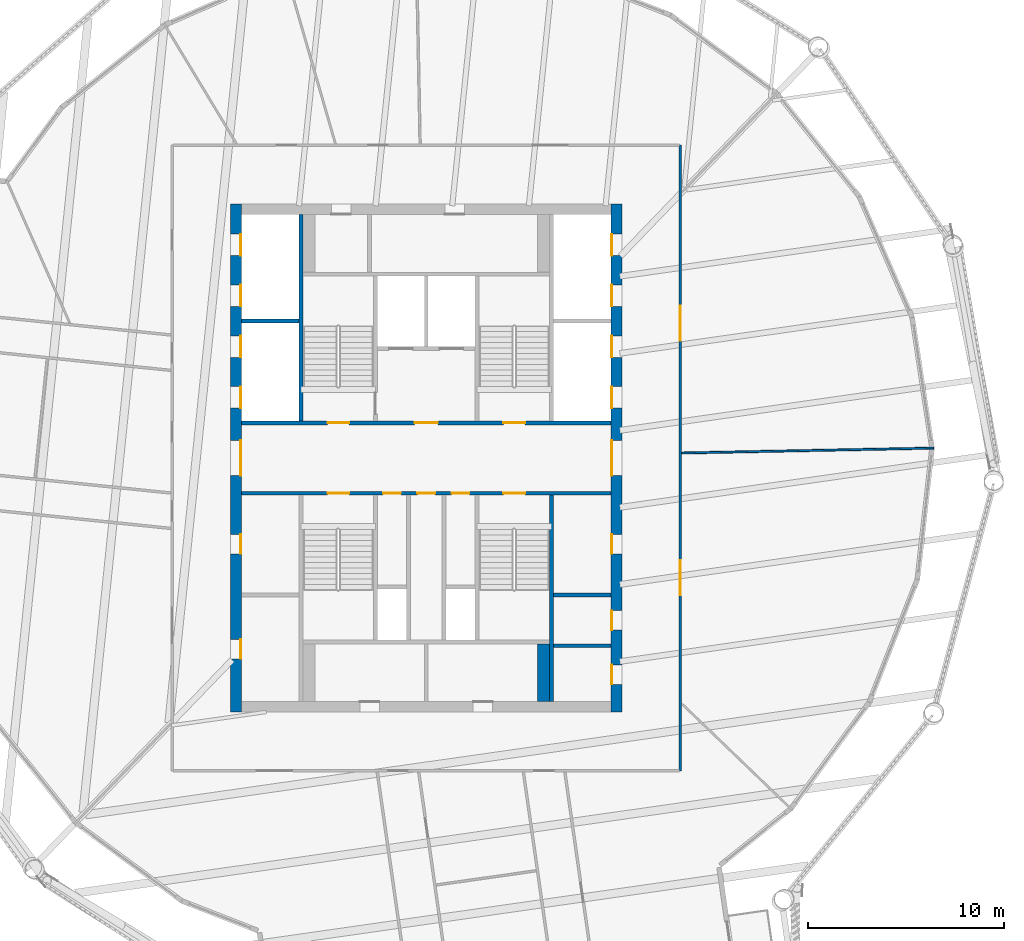
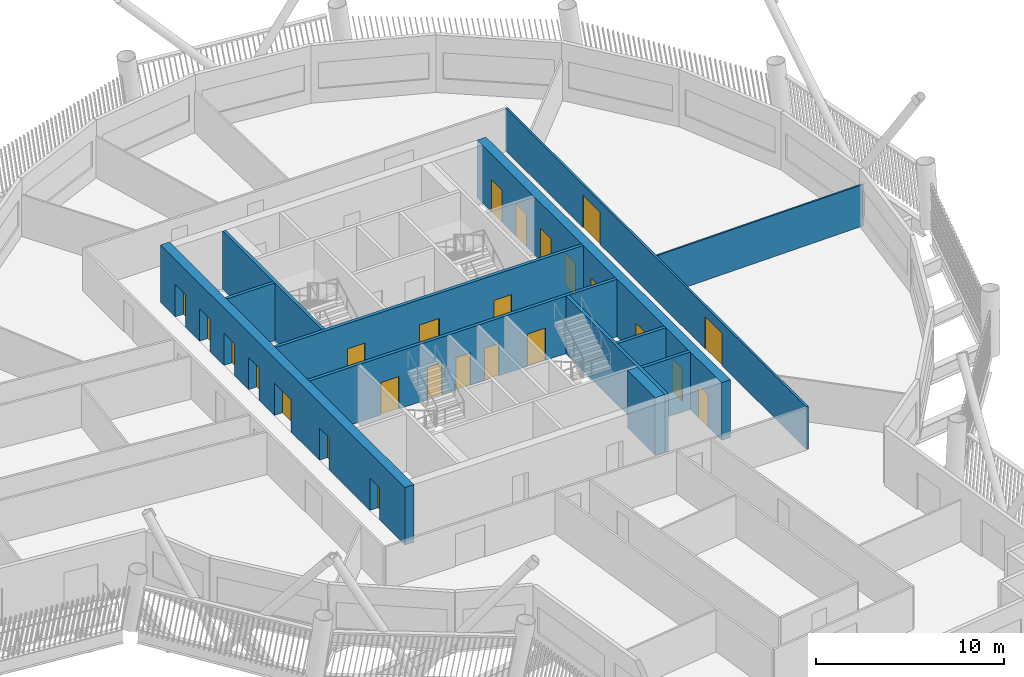
# One storey, part 5 of 22: 25 doors, 12 walls, 25 openings.
"""IFC4 building model written with IfcOpenShell, lengths in metres."""

from ifc_helpers import new_model, si_unit, direction, frame, frame_2d, origin, place, context, subcontext, project, spatial, rectangle, extrude, material, layer, layer_set, type_object, element, fill, save


model = new_model("IFC4")

# Units and contexts
model_context = context("Model", 3, precision=1e-05, world=origin(), true_north=direction((0.0, 1.0)))
body_context = subcontext(model_context, "Body", "Model", "MODEL_VIEW")
ifc_project = project(units=[si_unit("LENGTHUNIT", "METRE"), si_unit("AREAUNIT", "SQUARE_METRE"), si_unit("VOLUMEUNIT", "CUBIC_METRE"), si_unit("PLANEANGLEUNIT", "RADIAN"), si_unit("MASSUNIT", "GRAM", prefix="KILO")], contexts=[model_context])

# Site, building, storey
site_placement = place(None, origin())
site = spatial("IfcSite", under=ifc_project, at=site_placement, CompositionType="ELEMENT")
building_placement = place(site_placement, origin())
building = spatial("IfcBuilding", under=site, at=building_placement, Name="Tarsis Ring Headquarters", CompositionType="ELEMENT")
storey_placement = place(building_placement, frame((0.0, 0.0, 263.0)))
storey = spatial("IfcBuildingStorey", under=building, at=storey_placement, Name="L61", CompositionType="ELEMENT", Elevation=263.0)

# Walls
ifc_material_1 = material(Name="Blockwork", Category="masonry")
ifc_layer_1 = layer(ifc_material_1, 0.199951171875)
ifc_layer_set_1 = layer_set([ifc_layer_1], Name="Core blockwork wall 200")
wall_type_1 = type_object("IfcWallType", Name="Core blockwork wall 200", PredefinedType="PARTITIONING", material=ifc_layer_set_1)
for number, where, z_axis, x_axis, name in (
    (1, (6.5, -9.60009765625, 0.0), (0.0, 0.0, 1.0), (1.0, 0.0, 0.0), "Core partition ED1"),
    (2, (6.5, -7.0, 0.0), (0.0, 0.0, 1.0), (1.0, 0.0, 0.0), "Core partition ED2"),
):
    element("IfcWall", number, at=place(storey_placement, frame(where, z_axis=z_axis, x_axis=x_axis)), inside=storey, type_object=wall_type_1, Name=name, PredefinedType="PARTITIONING", context=body_context, shape_type="SweptSolid", body=[
        extrude(rectangle(XDim=2.949951171875, YDim=0.199951171875, at=frame_2d((1.47509765625, 0.0))), origin(), (0.0, 0.0, 1.0), 3.739990234375),
    ])

# Wall, openings, doors
ifc_material_2 = material(Name="Concrete C50/60", Category="concrete")
ifc_layer_2 = layer(ifc_material_2, 0.550048828125)
ifc_layer_set_2 = layer_set([ifc_layer_2], Name="Core wall 550 C50/60")
wall_type_2 = type_object("IfcWallType", Name="Core wall 550 C50/60", PredefinedType="SHEAR", material=ifc_layer_set_2)
wall_1_placement = place(storey_placement, frame((-9.72509765625, -13.0, 0.0), z_axis=(0.0, 0.0, 1.0), x_axis=(0.0, 1.0, 0.0)))
wall_1 = element("IfcWall", 3, at=wall_1_placement, inside=storey, type_object=wall_type_2, Name="Core wall OW", PredefinedType="SHEAR", context=body_context, shape_type="SweptSolid", body=[
    extrude(rectangle(XDim=26.0, YDim=0.550048828125, at=frame_2d((13.0, 0.0))), origin(), (0.0, 0.0, 1.0), 3.739990234375),
])
opening_1_placement = place(wall_1_placement, frame((2.72509765625, 0.0, 0.0)))
opening_1 = element("IfcOpeningElement", 4, at=opening_1_placement, cuts=wall_1, Name="Opening L61-C01", PredefinedType="OPENING", context=body_context, shape_type="SweptSolid", body=[
    extrude(rectangle(XDim=1.0, YDim=2.10009765625, at=frame_2d((0.5, 1.050048828125))), frame((0.0, 0.284912109375, 0.0), z_axis=(0.0, -1.0, 0.0), x_axis=(1.0, 0.0, 0.0)), (0.0, 0.0, 1.0), 0.570068359375),
])
opening_2_placement = place(wall_1_placement, frame((8.10009765625, 0.0, 0.0)))
opening_2 = element("IfcOpeningElement", 5, at=opening_2_placement, cuts=wall_1, Name="Opening L61-C02", PredefinedType="OPENING", context=body_context, shape_type="SweptSolid", body=[
    extrude(rectangle(XDim=1.0, YDim=2.10009765625, at=frame_2d((0.5, 1.050048828125))), frame((0.0, 0.284912109375, 0.0), z_axis=(0.0, -1.0, 0.0), x_axis=(1.0, 0.0, 0.0)), (0.0, 0.0, 1.0), 0.570068359375),
])
opening_3_placement = place(wall_1_placement, frame((12.10009765625, 0.0, 0.0)))
opening_3 = element("IfcOpeningElement", 6, at=opening_3_placement, cuts=wall_1, Name="Opening L61-C03", PredefinedType="OPENING", context=body_context, shape_type="SweptSolid", body=[
    extrude(rectangle(XDim=1.800048828125, YDim=2.10009765625, at=frame_2d((0.89990234375, 1.050048828125))), frame((0.0, 0.284912109375, 0.0), z_axis=(0.0, -1.0, 0.0), x_axis=(1.0, 0.0, 0.0)), (0.0, 0.0, 1.0), 0.570068359375),
])
opening_4_placement = place(wall_1_placement, frame((15.550048828125, 0.0, 0.0)))
opening_4 = element("IfcOpeningElement", 7, at=opening_4_placement, cuts=wall_1, Name="Opening LD-HR1", PredefinedType="OPENING", context=body_context, shape_type="SweptSolid", body=[
    extrude(rectangle(XDim=1.10009765625, YDim=2.10009765625, at=frame_2d((0.550048828125, 1.050048828125))), frame((0.0, 0.284912109375, 0.0), z_axis=(0.0, -1.0, 0.0), x_axis=(1.0, 0.0, 0.0)), (0.0, 0.0, 1.0), 0.570068359375),
])
opening_5_placement = place(wall_1_placement, frame((18.14990234375, 0.0, 0.0)))
opening_5 = element("IfcOpeningElement", 8, at=opening_5_placement, cuts=wall_1, Name="Opening LD-HR2", PredefinedType="OPENING", context=body_context, shape_type="SweptSolid", body=[
    extrude(rectangle(XDim=1.10009765625, YDim=2.10009765625, at=frame_2d((0.550048828125, 1.050048828125))), frame((0.0, 0.284912109375, 0.0), z_axis=(0.0, -1.0, 0.0), x_axis=(1.0, 0.0, 0.0)), (0.0, 0.0, 1.0), 0.570068359375),
])
opening_6_placement = place(wall_1_placement, frame((20.75, 0.0, 0.0)))
opening_6 = element("IfcOpeningElement", 9, at=opening_6_placement, cuts=wall_1, Name="Opening LD-HR3", PredefinedType="OPENING", context=body_context, shape_type="SweptSolid", body=[
    extrude(rectangle(XDim=1.10009765625, YDim=2.10009765625, at=frame_2d((0.550048828125, 1.050048828125))), frame((0.0, 0.284912109375, 0.0), z_axis=(0.0, -1.0, 0.0), x_axis=(1.0, 0.0, 0.0)), (0.0, 0.0, 1.0), 0.570068359375),
])
opening_7_placement = place(wall_1_placement, frame((23.35009765625, 0.0, 0.0)))
opening_7 = element("IfcOpeningElement", 10, at=opening_7_placement, cuts=wall_1, Name="Opening LD-HR4", PredefinedType="OPENING", context=body_context, shape_type="SweptSolid", body=[
    extrude(rectangle(XDim=1.10009765625, YDim=2.10009765625, at=frame_2d((0.550048828125, 1.050048828125))), frame((0.0, 0.284912109375, 0.0), z_axis=(0.0, -1.0, 0.0), x_axis=(1.0, 0.0, 0.0)), (0.0, 0.0, 1.0), 0.570068359375),
])
ifc_material_3 = material(Name="Steel S355", Category="steel")
door_type_1 = type_object("IfcDoorType", Name="Core entry door 1800x2100", OperationType="DOUBLE_DOOR_SINGLE_SWING", PredefinedType="DOOR", material=ifc_material_3)
door_1_placement = place(opening_3_placement, origin())
door_1 = element("IfcDoor", 11, at=door_1_placement, inside=storey, type_object=door_type_1, Name="Core entry door L61", OperationType="DOUBLE_DOOR_SINGLE_SWING", OverallHeight=2.10009765625, OverallWidth=1.800048828125, PredefinedType="DOOR", context=body_context, shape_type="SweptSolid", body=[
    extrude(rectangle(XDim=1.800048828125, YDim=2.10009765625, at=frame_2d((0.89990234375, 1.050048828125))), frame((0.0, -0.22509765625, 0.0), z_axis=(0.0, -1.0, 0.0), x_axis=(1.0, 0.0, 0.0)), (0.0, 0.0, 1.0), 0.050048828125),
])
fill(opening_3, door_1)
door_type_2 = type_object("IfcDoorType", Name="Core room door 1000x2100", OperationType="SINGLE_SWING_LEFT", PredefinedType="DOOR", material=ifc_material_3)
door_2_placement = place(opening_1_placement, origin())
door_2 = element("IfcDoor", 12, at=door_2_placement, inside=storey, type_object=door_type_2, Name="Core room door L61", OperationType="SINGLE_SWING_LEFT", OverallHeight=2.10009765625, OverallWidth=1.0, PredefinedType="DOOR", context=body_context, shape_type="SweptSolid", body=[
    extrude(rectangle(XDim=1.0, YDim=2.10009765625, at=frame_2d((0.5, 1.050048828125))), frame((0.0, -0.22509765625, 0.0), z_axis=(0.0, -1.0, 0.0), x_axis=(1.0, 0.0, 0.0)), (0.0, 0.0, 1.0), 0.050048828125),
])
fill(opening_1, door_2)
door_3_placement = place(opening_2_placement, origin())
door_3 = element("IfcDoor", 13, at=door_3_placement, inside=storey, type_object=door_type_2, Name="Core room door L61", OperationType="SINGLE_SWING_LEFT", OverallHeight=2.10009765625, OverallWidth=1.0, PredefinedType="DOOR", context=body_context, shape_type="SweptSolid", body=[
    extrude(rectangle(XDim=1.0, YDim=2.10009765625, at=frame_2d((0.5, 1.050048828125))), frame((0.0, -0.22509765625, 0.0), z_axis=(0.0, -1.0, 0.0), x_axis=(1.0, 0.0, 0.0)), (0.0, 0.0, 1.0), 0.050048828125),
])
fill(opening_2, door_3)
door_type_3 = type_object("IfcDoorType", Name="Landing door 1100x2100", OperationType="SLIDING_TO_LEFT", PredefinedType="DOOR", material=ifc_material_3)
door_4_placement = place(opening_4_placement, origin())
door_4 = element("IfcDoor", 14, at=door_4_placement, inside=storey, type_object=door_type_3, Name="Landing door HR1 L61", OperationType="SLIDING_TO_LEFT", OverallHeight=2.10009765625, OverallWidth=1.10009765625, PredefinedType="DOOR", context=body_context, shape_type="SweptSolid", body=[
    extrude(rectangle(XDim=1.10009765625, YDim=2.10009765625, at=frame_2d((0.550048828125, 1.050048828125))), frame((0.0, -0.22509765625, 0.0), z_axis=(0.0, -1.0, 0.0), x_axis=(1.0, 0.0, 0.0)), (0.0, 0.0, 1.0), 0.050048828125),
])
fill(opening_4, door_4)
door_5_placement = place(opening_5_placement, origin())
door_5 = element("IfcDoor", 15, at=door_5_placement, inside=storey, type_object=door_type_3, Name="Landing door HR2 L61", OperationType="SLIDING_TO_LEFT", OverallHeight=2.10009765625, OverallWidth=1.10009765625, PredefinedType="DOOR", context=body_context, shape_type="SweptSolid", body=[
    extrude(rectangle(XDim=1.10009765625, YDim=2.10009765625, at=frame_2d((0.550048828125, 1.050048828125))), frame((0.0, -0.22509765625, 0.0), z_axis=(0.0, -1.0, 0.0), x_axis=(1.0, 0.0, 0.0)), (0.0, 0.0, 1.0), 0.050048828125),
])
fill(opening_5, door_5)
door_6_placement = place(opening_6_placement, origin())
door_6 = element("IfcDoor", 16, at=door_6_placement, inside=storey, type_object=door_type_3, Name="Landing door HR3 L61", OperationType="SLIDING_TO_LEFT", OverallHeight=2.10009765625, OverallWidth=1.10009765625, PredefinedType="DOOR", context=body_context, shape_type="SweptSolid", body=[
    extrude(rectangle(XDim=1.10009765625, YDim=2.10009765625, at=frame_2d((0.550048828125, 1.050048828125))), frame((0.0, -0.22509765625, 0.0), z_axis=(0.0, -1.0, 0.0), x_axis=(1.0, 0.0, 0.0)), (0.0, 0.0, 1.0), 0.050048828125),
])
fill(opening_6, door_6)
door_7_placement = place(opening_7_placement, origin())
door_7 = element("IfcDoor", 17, at=door_7_placement, inside=storey, type_object=door_type_3, Name="Landing door HR4 L61", OperationType="SLIDING_TO_LEFT", OverallHeight=2.10009765625, OverallWidth=1.10009765625, PredefinedType="DOOR", context=body_context, shape_type="SweptSolid", body=[
    extrude(rectangle(XDim=1.10009765625, YDim=2.10009765625, at=frame_2d((0.550048828125, 1.050048828125))), frame((0.0, -0.22509765625, 0.0), z_axis=(0.0, -1.0, 0.0), x_axis=(1.0, 0.0, 0.0)), (0.0, 0.0, 1.0), 0.050048828125),
])
fill(opening_7, door_7)

wall_2_placement = place(storey_placement, frame((9.72509765625, -13.0, 0.0), z_axis=(0.0, 0.0, 1.0), x_axis=(0.0, 1.0, 0.0)))
wall_2 = element("IfcWall", 18, at=wall_2_placement, inside=storey, type_object=wall_type_2, Name="Core wall OE", PredefinedType="SHEAR", context=body_context, shape_type="SweptSolid", body=[
    extrude(rectangle(XDim=26.0, YDim=0.550048828125, at=frame_2d((13.0, 0.0))), origin(), (0.0, 0.0, 1.0), 3.739990234375),
])
opening_8_placement = place(wall_2_placement, frame((1.425048828125, 0.0, 0.0)))
opening_8 = element("IfcOpeningElement", 19, at=opening_8_placement, cuts=wall_2, Name="Opening L61-C08", PredefinedType="OPENING", context=body_context, shape_type="SweptSolid", body=[
    extrude(rectangle(XDim=1.0, YDim=2.10009765625, at=frame_2d((0.5, 1.050048828125))), frame((0.0, 0.284912109375, 0.0), z_axis=(0.0, -1.0, 0.0), x_axis=(1.0, 0.0, 0.0)), (0.0, 0.0, 1.0), 0.570068359375),
])
opening_9_placement = place(wall_2_placement, frame((4.199951171875, 0.0, 0.0)))
opening_9 = element("IfcOpeningElement", 20, at=opening_9_placement, cuts=wall_2, Name="Opening L61-C09", PredefinedType="OPENING", context=body_context, shape_type="SweptSolid", body=[
    extrude(rectangle(XDim=1.0, YDim=2.10009765625, at=frame_2d((0.5, 1.050048828125))), frame((0.0, 0.284912109375, 0.0), z_axis=(0.0, -1.0, 0.0), x_axis=(1.0, 0.0, 0.0)), (0.0, 0.0, 1.0), 0.570068359375),
])
opening_10_placement = place(wall_2_placement, frame((8.10009765625, 0.0, 0.0)))
opening_10 = element("IfcOpeningElement", 21, at=opening_10_placement, cuts=wall_2, Name="Opening L61-C10", PredefinedType="OPENING", context=body_context, shape_type="SweptSolid", body=[
    extrude(rectangle(XDim=1.0, YDim=2.10009765625, at=frame_2d((0.5, 1.050048828125))), frame((0.0, 0.284912109375, 0.0), z_axis=(0.0, -1.0, 0.0), x_axis=(1.0, 0.0, 0.0)), (0.0, 0.0, 1.0), 0.570068359375),
])
opening_11_placement = place(wall_2_placement, frame((12.10009765625, 0.0, 0.0)))
opening_11 = element("IfcOpeningElement", 22, at=opening_11_placement, cuts=wall_2, Name="Opening L61-C11", PredefinedType="OPENING", context=body_context, shape_type="SweptSolid", body=[
    extrude(rectangle(XDim=1.800048828125, YDim=2.10009765625, at=frame_2d((0.89990234375, 1.050048828125))), frame((0.0, 0.284912109375, 0.0), z_axis=(0.0, -1.0, 0.0), x_axis=(1.0, 0.0, 0.0)), (0.0, 0.0, 1.0), 0.570068359375),
])
opening_12_placement = place(wall_2_placement, frame((15.550048828125, 0.0, 0.0)))
opening_12 = element("IfcOpeningElement", 23, at=opening_12_placement, cuts=wall_2, Name="Opening LD-HR5", PredefinedType="OPENING", context=body_context, shape_type="SweptSolid", body=[
    extrude(rectangle(XDim=1.10009765625, YDim=2.10009765625, at=frame_2d((0.550048828125, 1.050048828125))), frame((0.0, 0.284912109375, 0.0), z_axis=(0.0, -1.0, 0.0), x_axis=(1.0, 0.0, 0.0)), (0.0, 0.0, 1.0), 0.570068359375),
])
opening_13_placement = place(wall_2_placement, frame((18.14990234375, 0.0, 0.0)))
opening_13 = element("IfcOpeningElement", 24, at=opening_13_placement, cuts=wall_2, Name="Opening LD-HR6", PredefinedType="OPENING", context=body_context, shape_type="SweptSolid", body=[
    extrude(rectangle(XDim=1.10009765625, YDim=2.10009765625, at=frame_2d((0.550048828125, 1.050048828125))), frame((0.0, 0.284912109375, 0.0), z_axis=(0.0, -1.0, 0.0), x_axis=(1.0, 0.0, 0.0)), (0.0, 0.0, 1.0), 0.570068359375),
])
opening_14_placement = place(wall_2_placement, frame((20.75, 0.0, 0.0)))
opening_14 = element("IfcOpeningElement", 25, at=opening_14_placement, cuts=wall_2, Name="Opening LD-HR7", PredefinedType="OPENING", context=body_context, shape_type="SweptSolid", body=[
    extrude(rectangle(XDim=1.10009765625, YDim=2.10009765625, at=frame_2d((0.550048828125, 1.050048828125))), frame((0.0, 0.284912109375, 0.0), z_axis=(0.0, -1.0, 0.0), x_axis=(1.0, 0.0, 0.0)), (0.0, 0.0, 1.0), 0.570068359375),
])
opening_15_placement = place(wall_2_placement, frame((23.35009765625, 0.0, 0.0)))
opening_15 = element("IfcOpeningElement", 26, at=opening_15_placement, cuts=wall_2, Name="Opening LD-HR8", PredefinedType="OPENING", context=body_context, shape_type="SweptSolid", body=[
    extrude(rectangle(XDim=1.10009765625, YDim=2.10009765625, at=frame_2d((0.550048828125, 1.050048828125))), frame((0.0, 0.284912109375, 0.0), z_axis=(0.0, -1.0, 0.0), x_axis=(1.0, 0.0, 0.0)), (0.0, 0.0, 1.0), 0.570068359375),
])
door_8_placement = place(opening_11_placement, origin())
door_8 = element("IfcDoor", 27, at=door_8_placement, inside=storey, type_object=door_type_1, Name="Core entry door L61", OperationType="DOUBLE_DOOR_SINGLE_SWING", OverallHeight=2.10009765625, OverallWidth=1.800048828125, PredefinedType="DOOR", context=body_context, shape_type="SweptSolid", body=[
    extrude(rectangle(XDim=1.800048828125, YDim=2.10009765625, at=frame_2d((0.89990234375, 1.050048828125))), frame((0.0, 0.27490234375, 0.0), z_axis=(0.0, -1.0, 0.0), x_axis=(1.0, 0.0, 0.0)), (0.0, 0.0, 1.0), 0.050048828125),
])
fill(opening_11, door_8)
door_9_placement = place(opening_8_placement, origin())
door_9 = element("IfcDoor", 28, at=door_9_placement, inside=storey, type_object=door_type_2, Name="Core room door L61", OperationType="SINGLE_SWING_LEFT", OverallHeight=2.10009765625, OverallWidth=1.0, PredefinedType="DOOR", context=body_context, shape_type="SweptSolid", body=[
    extrude(rectangle(XDim=1.0, YDim=2.10009765625, at=frame_2d((0.5, 1.050048828125))), frame((0.0, 0.27490234375, 0.0), z_axis=(0.0, -1.0, 0.0), x_axis=(1.0, 0.0, 0.0)), (0.0, 0.0, 1.0), 0.050048828125),
])
fill(opening_8, door_9)
door_10_placement = place(opening_9_placement, origin())
door_10 = element("IfcDoor", 29, at=door_10_placement, inside=storey, type_object=door_type_2, Name="Core room door L61", OperationType="SINGLE_SWING_LEFT", OverallHeight=2.10009765625, OverallWidth=1.0, PredefinedType="DOOR", context=body_context, shape_type="SweptSolid", body=[
    extrude(rectangle(XDim=1.0, YDim=2.10009765625, at=frame_2d((0.5, 1.050048828125))), frame((0.0, 0.27490234375, 0.0), z_axis=(0.0, -1.0, 0.0), x_axis=(1.0, 0.0, 0.0)), (0.0, 0.0, 1.0), 0.050048828125),
])
fill(opening_9, door_10)
door_11_placement = place(opening_10_placement, origin())
door_11 = element("IfcDoor", 30, at=door_11_placement, inside=storey, type_object=door_type_2, Name="Core room door L61", OperationType="SINGLE_SWING_LEFT", OverallHeight=2.10009765625, OverallWidth=1.0, PredefinedType="DOOR", context=body_context, shape_type="SweptSolid", body=[
    extrude(rectangle(XDim=1.0, YDim=2.10009765625, at=frame_2d((0.5, 1.050048828125))), frame((0.0, 0.27490234375, 0.0), z_axis=(0.0, -1.0, 0.0), x_axis=(1.0, 0.0, 0.0)), (0.0, 0.0, 1.0), 0.050048828125),
])
fill(opening_10, door_11)
door_12_placement = place(opening_12_placement, origin())
door_12 = element("IfcDoor", 31, at=door_12_placement, inside=storey, type_object=door_type_3, Name="Landing door HR5 L61", OperationType="SLIDING_TO_LEFT", OverallHeight=2.10009765625, OverallWidth=1.10009765625, PredefinedType="DOOR", context=body_context, shape_type="SweptSolid", body=[
    extrude(rectangle(XDim=1.10009765625, YDim=2.10009765625, at=frame_2d((0.550048828125, 1.050048828125))), frame((0.0, 0.27490234375, 0.0), z_axis=(0.0, -1.0, 0.0), x_axis=(1.0, 0.0, 0.0)), (0.0, 0.0, 1.0), 0.050048828125),
])
fill(opening_12, door_12)
door_13_placement = place(opening_13_placement, origin())
door_13 = element("IfcDoor", 32, at=door_13_placement, inside=storey, type_object=door_type_3, Name="Landing door HR6 L61", OperationType="SLIDING_TO_LEFT", OverallHeight=2.10009765625, OverallWidth=1.10009765625, PredefinedType="DOOR", context=body_context, shape_type="SweptSolid", body=[
    extrude(rectangle(XDim=1.10009765625, YDim=2.10009765625, at=frame_2d((0.550048828125, 1.050048828125))), frame((0.0, 0.27490234375, 0.0), z_axis=(0.0, -1.0, 0.0), x_axis=(1.0, 0.0, 0.0)), (0.0, 0.0, 1.0), 0.050048828125),
])
fill(opening_13, door_13)
door_14_placement = place(opening_14_placement, origin())
door_14 = element("IfcDoor", 33, at=door_14_placement, inside=storey, type_object=door_type_3, Name="Landing door HR7 L61", OperationType="SLIDING_TO_LEFT", OverallHeight=2.10009765625, OverallWidth=1.10009765625, PredefinedType="DOOR", context=body_context, shape_type="SweptSolid", body=[
    extrude(rectangle(XDim=1.10009765625, YDim=2.10009765625, at=frame_2d((0.550048828125, 1.050048828125))), frame((0.0, 0.27490234375, 0.0), z_axis=(0.0, -1.0, 0.0), x_axis=(1.0, 0.0, 0.0)), (0.0, 0.0, 1.0), 0.050048828125),
])
fill(opening_14, door_14)
door_15_placement = place(opening_15_placement, origin())
door_15 = element("IfcDoor", 34, at=door_15_placement, inside=storey, type_object=door_type_3, Name="Landing door HR8 L61", OperationType="SLIDING_TO_LEFT", OverallHeight=2.10009765625, OverallWidth=1.10009765625, PredefinedType="DOOR", context=body_context, shape_type="SweptSolid", body=[
    extrude(rectangle(XDim=1.10009765625, YDim=2.10009765625, at=frame_2d((0.550048828125, 1.050048828125))), frame((0.0, 0.27490234375, 0.0), z_axis=(0.0, -1.0, 0.0), x_axis=(1.0, 0.0, 0.0)), (0.0, 0.0, 1.0), 0.050048828125),
])
fill(opening_15, door_15)

# Wall
ifc_material_4 = material(Name="Gypsum board on steel studs", Category="steel")
ifc_layer_3 = layer(ifc_material_4, 0.10009765625)
ifc_layer_set_3 = layer_set([ifc_layer_3], Name="FL partition 100 unrated")
wall_type_3 = type_object("IfcWallType", Name="FL partition 100 unrated", PredefinedType="PARTITIONING", material=ifc_layer_set_3)
wall_3_placement = place(storey_placement, frame((13.070068359375, 0.255615234375, 0.0), z_axis=(0.0, 0.0, 1.0), x_axis=(0.999809254607, 0.019530857668, 0.0)))
element("IfcWall", 35, at=wall_3_placement, inside=storey, type_object=wall_type_3, Name="Partition PW3", PredefinedType="PARTITIONING", context=body_context, shape_type="SweptSolid", body=[
    extrude(rectangle(XDim=12.875244140625, YDim=0.10009765625, at=frame_2d((6.4375, 0.0))), origin(), (0.0, 0.0, 1.0), 2.699951171875),
])

# Wall, openings, doors
ifc_layer_4 = layer(ifc_material_4, 0.125)
ifc_layer_set_4 = layer_set([ifc_layer_4], Name="FL partition 125 EI 60 H2770")
wall_type_4 = type_object("IfcWallType", Name="FL partition 125 EI 60 H2770", PredefinedType="PARTITIONING", material=ifc_layer_set_4)
wall_4_placement = place(storey_placement, frame((13.0, -16.0, 0.0), z_axis=(0.0, 0.0, 1.0), x_axis=(0.0, 1.0, 0.0)))
wall_4 = element("IfcWall", 36, at=wall_4_placement, inside=storey, type_object=wall_type_4, Name="Partition PW1", PredefinedType="PARTITIONING", context=body_context, shape_type="SweptSolid", body=[
    extrude(rectangle(XDim=32.0, YDim=0.125, at=frame_2d((16.0, 0.0))), origin(), (0.0, 0.0, 1.0), 2.77001953125),
])
opening_16_placement = place(wall_4_placement, frame((21.986328125, 0.0, 0.0)))
opening_16 = element("IfcOpeningElement", 37, at=opening_16_placement, cuts=wall_4, Name="Opening D61.07", PredefinedType="OPENING", context=body_context, shape_type="SweptSolid", body=[
    extrude(rectangle(XDim=1.800048828125, YDim=2.10009765625, at=frame_2d((0.89990234375, 1.050048828125))), frame((0.0, 0.072509765625, 0.0), z_axis=(0.0, -1.0, 0.0), x_axis=(1.0, 0.0, 0.0)), (0.0, 0.0, 1.0), 0.14501953125),
])
opening_17_placement = place(wall_4_placement, frame((8.976318359375, 0.0, 0.0)))
opening_17 = element("IfcOpeningElement", 38, at=opening_17_placement, cuts=wall_4, Name="Opening D61.08", PredefinedType="OPENING", context=body_context, shape_type="SweptSolid", body=[
    extrude(rectangle(XDim=1.800048828125, YDim=2.10009765625, at=frame_2d((0.89990234375, 1.050048828125))), frame((0.0, 0.072509765625, 0.0), z_axis=(0.0, -1.0, 0.0), x_axis=(1.0, 0.0, 0.0)), (0.0, 0.0, 1.0), 0.14501953125),
])
ifc_material_5 = material(Name="Fire-rated timber door leaf in steel frame", Category="steel")
door_type_4 = type_object("IfcDoorType", Name="FL door FD60-1800", OperationType="DOUBLE_DOOR_SINGLE_SWING", PredefinedType="DOOR", material=ifc_material_5)
door_16_placement = place(opening_16_placement, origin())
door_16 = element("IfcDoor", 39, at=door_16_placement, inside=storey, type_object=door_type_4, Name="Door D61.07", OperationType="DOUBLE_DOOR_SINGLE_SWING", OverallHeight=2.10009765625, OverallWidth=1.800048828125, PredefinedType="DOOR", context=body_context, shape_type="SweptSolid", body=[
    extrude(rectangle(XDim=1.800048828125, YDim=2.10009765625, at=frame_2d((0.89990234375, 1.050048828125))), frame((0.0, 0.02490234375, 0.0), z_axis=(0.0, -1.0, 0.0), x_axis=(1.0, 0.0, 0.0)), (0.0, 0.0, 1.0), 0.050048828125),
])
fill(opening_16, door_16)
door_17_placement = place(opening_17_placement, origin())
door_17 = element("IfcDoor", 40, at=door_17_placement, inside=storey, type_object=door_type_4, Name="Door D61.08", OperationType="DOUBLE_DOOR_SINGLE_SWING", OverallHeight=2.10009765625, OverallWidth=1.800048828125, PredefinedType="DOOR", context=body_context, shape_type="SweptSolid", body=[
    extrude(rectangle(XDim=1.800048828125, YDim=2.10009765625, at=frame_2d((0.89990234375, 1.050048828125))), frame((0.0, 0.02490234375, 0.0), z_axis=(0.0, -1.0, 0.0), x_axis=(1.0, 0.0, 0.0)), (0.0, 0.0, 1.0), 0.050048828125),
])
fill(opening_17, door_17)

# Wall
ifc_material_6 = material(Name="Concrete C32/40", Category="concrete")
ifc_layer_5 = layer(ifc_material_6, 0.60009765625)
ifc_layer_set_5 = layer_set([ifc_layer_5], Name="Shaft end wall 600 C32/40")
wall_type_5 = type_object("IfcWallType", Name="Shaft end wall 600 C32/40", PredefinedType="SOLIDWALL", material=ifc_layer_set_5)
wall_5_placement = place(storey_placement, frame((6.0, -12.449951171875, 0.0), z_axis=(0.0, 0.0, 1.0), x_axis=(0.0, 1.0, 0.0)))
element("IfcWall", 41, at=wall_5_placement, inside=storey, type_object=wall_type_5, Name="Core shaft wall SNE2", PredefinedType="SOLIDWALL", context=body_context, shape_type="SweptSolid", body=[
    extrude(rectangle(XDim=2.949951171875, YDim=0.60009765625, at=frame_2d((1.47509765625, 0.0))), origin(), (0.0, 0.0, 1.0), 3.739990234375),
])

# Wall, openings, doors
ifc_layer_6 = layer(ifc_material_6, 0.199951171875)
ifc_layer_set_6 = layer_set([ifc_layer_6], Name="Shaft wall 200 C32/40")
wall_type_6 = type_object("IfcWallType", Name="Shaft wall 200 C32/40", PredefinedType="SOLIDWALL", material=ifc_layer_set_6)
wall_6_placement = place(storey_placement, frame((-9.449951171875, 1.800048828125, 0.0), z_axis=(0.0, 0.0, 1.0), x_axis=(1.0, 0.0, 0.0)))
wall_6 = element("IfcWall", 42, at=wall_6_placement, inside=storey, type_object=wall_type_6, Name="Core shaft wall CN", PredefinedType="SOLIDWALL", context=body_context, shape_type="SweptSolid", body=[
    extrude(rectangle(XDim=18.89990234375, YDim=0.199951171875, at=frame_2d((9.449951171875, 0.0))), origin(), (0.0, 0.0, 1.0), 3.739990234375),
])
opening_18_placement = place(wall_6_placement, frame((4.39990234375, 0.0, 0.0)))
opening_18 = element("IfcOpeningElement", 43, at=opening_18_placement, cuts=wall_6, Name="Opening L61-C20", PredefinedType="OPENING", context=body_context, shape_type="SweptSolid", body=[
    extrude(rectangle(XDim=1.10009765625, YDim=2.10009765625, at=frame_2d((0.550048828125, 1.050048828125))), frame((0.0, 0.10986328125, 0.0), z_axis=(0.0, -1.0, 0.0), x_axis=(1.0, 0.0, 0.0)), (0.0, 0.0, 1.0), 0.219970703125),
])
opening_19_placement = place(wall_6_placement, frame((8.85009765625, 0.0, 0.0)))
opening_19 = element("IfcOpeningElement", 44, at=opening_19_placement, cuts=wall_6, Name="Opening L61-C21", PredefinedType="OPENING", context=body_context, shape_type="SweptSolid", body=[
    extrude(rectangle(XDim=1.199951171875, YDim=2.10009765625, at=frame_2d((0.60009765625, 1.050048828125))), frame((0.0, 0.10986328125, 0.0), z_axis=(0.0, -1.0, 0.0), x_axis=(1.0, 0.0, 0.0)), (0.0, 0.0, 1.0), 0.219970703125),
])
opening_20_placement = place(wall_6_placement, frame((13.39990234375, 0.0, 0.0)))
opening_20 = element("IfcOpeningElement", 45, at=opening_20_placement, cuts=wall_6, Name="Opening L61-C22", PredefinedType="OPENING", context=body_context, shape_type="SweptSolid", body=[
    extrude(rectangle(XDim=1.10009765625, YDim=2.10009765625, at=frame_2d((0.550048828125, 1.050048828125))), frame((0.0, 0.10986328125, 0.0), z_axis=(0.0, -1.0, 0.0), x_axis=(1.0, 0.0, 0.0)), (0.0, 0.0, 1.0), 0.219970703125),
])
door_type_5 = type_object("IfcDoorType", Name="Firefighting lobby door 1200x2100", OperationType="DOUBLE_DOOR_SINGLE_SWING", PredefinedType="DOOR", material=ifc_material_3)
door_18_placement = place(opening_19_placement, origin())
door_18 = element("IfcDoor", 46, at=door_18_placement, inside=storey, type_object=door_type_5, Name="Firefighting lobby door L61", OperationType="DOUBLE_DOOR_SINGLE_SWING", OverallHeight=2.10009765625, OverallWidth=1.199951171875, PredefinedType="DOOR", context=body_context, shape_type="SweptSolid", body=[
    extrude(rectangle(XDim=1.199951171875, YDim=2.10009765625, at=frame_2d((0.60009765625, 1.050048828125))), frame((0.0, 0.02490234375, 0.0), z_axis=(0.0, -1.0, 0.0), x_axis=(1.0, 0.0, 0.0)), (0.0, 0.0, 1.0), 0.050048828125),
])
fill(opening_19, door_18)
door_type_6 = type_object("IfcDoorType", Name="Stair door 1100x2100", OperationType="SINGLE_SWING_LEFT", PredefinedType="DOOR", material=ifc_material_3)
door_19_placement = place(opening_18_placement, origin())
door_19 = element("IfcDoor", 47, at=door_19_placement, inside=storey, type_object=door_type_6, Name="Stair door L61", OperationType="SINGLE_SWING_LEFT", OverallHeight=2.10009765625, OverallWidth=1.10009765625, PredefinedType="DOOR", context=body_context, shape_type="SweptSolid", body=[
    extrude(rectangle(XDim=1.10009765625, YDim=2.10009765625, at=frame_2d((0.550048828125, 1.050048828125))), frame((0.0, 0.02490234375, 0.0), z_axis=(0.0, -1.0, 0.0), x_axis=(1.0, 0.0, 0.0)), (0.0, 0.0, 1.0), 0.050048828125),
])
fill(opening_18, door_19)
door_20_placement = place(opening_20_placement, origin())
door_20 = element("IfcDoor", 48, at=door_20_placement, inside=storey, type_object=door_type_6, Name="Stair door L61", OperationType="SINGLE_SWING_LEFT", OverallHeight=2.10009765625, OverallWidth=1.10009765625, PredefinedType="DOOR", context=body_context, shape_type="SweptSolid", body=[
    extrude(rectangle(XDim=1.10009765625, YDim=2.10009765625, at=frame_2d((0.550048828125, 1.050048828125))), frame((0.0, 0.02490234375, 0.0), z_axis=(0.0, -1.0, 0.0), x_axis=(1.0, 0.0, 0.0)), (0.0, 0.0, 1.0), 0.050048828125),
])
fill(opening_20, door_20)

wall_7_placement = place(storey_placement, frame((-9.449951171875, -1.800048828125, 0.0), z_axis=(0.0, 0.0, 1.0), x_axis=(1.0, 0.0, 0.0)))
wall_7 = element("IfcWall", 49, at=wall_7_placement, inside=storey, type_object=wall_type_6, Name="Core shaft wall CS", PredefinedType="SOLIDWALL", context=body_context, shape_type="SweptSolid", body=[
    extrude(rectangle(XDim=18.89990234375, YDim=0.199951171875, at=frame_2d((9.449951171875, 0.0))), origin(), (0.0, 0.0, 1.0), 3.739990234375),
])
opening_21_placement = place(wall_7_placement, frame((4.39990234375, 0.0, 0.0)))
opening_21 = element("IfcOpeningElement", 50, at=opening_21_placement, cuts=wall_7, Name="Opening L61-C23", PredefinedType="OPENING", context=body_context, shape_type="SweptSolid", body=[
    extrude(rectangle(XDim=1.10009765625, YDim=2.10009765625, at=frame_2d((0.550048828125, 1.050048828125))), frame((0.0, 0.10986328125, 0.0), z_axis=(0.0, -1.0, 0.0), x_axis=(1.0, 0.0, 0.0)), (0.0, 0.0, 1.0), 0.219970703125),
])
opening_22_placement = place(wall_7_placement, frame((7.25, 0.0, 0.0)))
opening_22 = element("IfcOpeningElement", 51, at=opening_22_placement, cuts=wall_7, Name="Opening L61-C24", PredefinedType="OPENING", context=body_context, shape_type="SweptSolid", body=[
    extrude(rectangle(XDim=0.89990234375, YDim=2.10009765625, at=frame_2d((0.449951171875, 1.050048828125))), frame((0.0, 0.10986328125, 0.0), z_axis=(0.0, -1.0, 0.0), x_axis=(1.0, 0.0, 0.0)), (0.0, 0.0, 1.0), 0.219970703125),
])
opening_23_placement = place(wall_7_placement, frame((9.0, 0.0, 0.0)))
opening_23 = element("IfcOpeningElement", 52, at=opening_23_placement, cuts=wall_7, Name="Opening L61-C25", PredefinedType="OPENING", context=body_context, shape_type="SweptSolid", body=[
    extrude(rectangle(XDim=0.89990234375, YDim=2.10009765625, at=frame_2d((0.449951171875, 1.050048828125))), frame((0.0, 0.10986328125, 0.0), z_axis=(0.0, -1.0, 0.0), x_axis=(1.0, 0.0, 0.0)), (0.0, 0.0, 1.0), 0.219970703125),
])
opening_24_placement = place(wall_7_placement, frame((10.75, 0.0, 0.0)))
opening_24 = element("IfcOpeningElement", 53, at=opening_24_placement, cuts=wall_7, Name="Opening L61-C26", PredefinedType="OPENING", context=body_context, shape_type="SweptSolid", body=[
    extrude(rectangle(XDim=0.89990234375, YDim=2.10009765625, at=frame_2d((0.449951171875, 1.050048828125))), frame((0.0, 0.10986328125, 0.0), z_axis=(0.0, -1.0, 0.0), x_axis=(1.0, 0.0, 0.0)), (0.0, 0.0, 1.0), 0.219970703125),
])
opening_25_placement = place(wall_7_placement, frame((13.39990234375, 0.0, 0.0)))
opening_25 = element("IfcOpeningElement", 54, at=opening_25_placement, cuts=wall_7, Name="Opening L61-C27", PredefinedType="OPENING", context=body_context, shape_type="SweptSolid", body=[
    extrude(rectangle(XDim=1.10009765625, YDim=2.10009765625, at=frame_2d((0.550048828125, 1.050048828125))), frame((0.0, 0.10986328125, 0.0), z_axis=(0.0, -1.0, 0.0), x_axis=(1.0, 0.0, 0.0)), (0.0, 0.0, 1.0), 0.219970703125),
])
door_21_placement = place(opening_21_placement, origin())
door_21 = element("IfcDoor", 55, at=door_21_placement, inside=storey, type_object=door_type_6, Name="Stair door L61", OperationType="SINGLE_SWING_LEFT", OverallHeight=2.10009765625, OverallWidth=1.10009765625, PredefinedType="DOOR", context=body_context, shape_type="SweptSolid", body=[
    extrude(rectangle(XDim=1.10009765625, YDim=2.10009765625, at=frame_2d((0.550048828125, 1.050048828125))), frame((0.0, 0.02490234375, 0.0), z_axis=(0.0, -1.0, 0.0), x_axis=(1.0, 0.0, 0.0)), (0.0, 0.0, 1.0), 0.050048828125),
])
fill(opening_21, door_21)
door_22_placement = place(opening_25_placement, origin())
door_22 = element("IfcDoor", 56, at=door_22_placement, inside=storey, type_object=door_type_6, Name="Stair door L61", OperationType="SINGLE_SWING_LEFT", OverallHeight=2.10009765625, OverallWidth=1.10009765625, PredefinedType="DOOR", context=body_context, shape_type="SweptSolid", body=[
    extrude(rectangle(XDim=1.10009765625, YDim=2.10009765625, at=frame_2d((0.550048828125, 1.050048828125))), frame((0.0, 0.02490234375, 0.0), z_axis=(0.0, -1.0, 0.0), x_axis=(1.0, 0.0, 0.0)), (0.0, 0.0, 1.0), 0.050048828125),
])
fill(opening_25, door_22)
door_type_7 = type_object("IfcDoorType", Name="WC door 900x2100", OperationType="SINGLE_SWING_LEFT", PredefinedType="DOOR", material=ifc_material_3)
door_23_placement = place(opening_22_placement, origin())
door_23 = element("IfcDoor", 57, at=door_23_placement, inside=storey, type_object=door_type_7, Name="WC door L61", OperationType="SINGLE_SWING_LEFT", OverallHeight=2.10009765625, OverallWidth=0.89990234375, PredefinedType="DOOR", context=body_context, shape_type="SweptSolid", body=[
    extrude(rectangle(XDim=0.89990234375, YDim=2.10009765625, at=frame_2d((0.449951171875, 1.050048828125))), frame((0.0, 0.02490234375, 0.0), z_axis=(0.0, -1.0, 0.0), x_axis=(1.0, 0.0, 0.0)), (0.0, 0.0, 1.0), 0.050048828125),
])
fill(opening_22, door_23)
door_24_placement = place(opening_23_placement, origin())
door_24 = element("IfcDoor", 58, at=door_24_placement, inside=storey, type_object=door_type_7, Name="WC door L61", OperationType="SINGLE_SWING_LEFT", OverallHeight=2.10009765625, OverallWidth=0.89990234375, PredefinedType="DOOR", context=body_context, shape_type="SweptSolid", body=[
    extrude(rectangle(XDim=0.89990234375, YDim=2.10009765625, at=frame_2d((0.449951171875, 1.050048828125))), frame((0.0, 0.02490234375, 0.0), z_axis=(0.0, -1.0, 0.0), x_axis=(1.0, 0.0, 0.0)), (0.0, 0.0, 1.0), 0.050048828125),
])
fill(opening_23, door_24)
door_25_placement = place(opening_24_placement, origin())
door_25 = element("IfcDoor", 59, at=door_25_placement, inside=storey, type_object=door_type_7, Name="WC door L61", OperationType="SINGLE_SWING_LEFT", OverallHeight=2.10009765625, OverallWidth=0.89990234375, PredefinedType="DOOR", context=body_context, shape_type="SweptSolid", body=[
    extrude(rectangle(XDim=0.89990234375, YDim=2.10009765625, at=frame_2d((0.449951171875, 1.050048828125))), frame((0.0, 0.02490234375, 0.0), z_axis=(0.0, -1.0, 0.0), x_axis=(1.0, 0.0, 0.0)), (0.0, 0.0, 1.0), 0.050048828125),
])
fill(opening_24, door_25)

# Walls
for number, where, z_axis, x_axis, name in (
    (60, (-6.39990234375, 1.89990234375, 0.0), (0.0, 0.0, 1.0), (0.0, 1.0, 0.0), "Core shaft wall WB2"),
    (61, (6.39990234375, -12.449951171875, 0.0), (0.0, 0.0, 1.0), (0.0, 1.0, 0.0), "Core shaft wall EB1"),
):
    element("IfcWall", number, at=place(storey_placement, frame(where, z_axis=z_axis, x_axis=x_axis)), inside=storey, type_object=wall_type_6, Name=name, PredefinedType="SOLIDWALL", context=body_context, shape_type="SweptSolid", body=[
        extrude(rectangle(XDim=10.550048828125, YDim=0.199951171875, at=frame_2d((5.27490234375, 0.0))), origin(), (0.0, 0.0, 1.0), 3.739990234375),
    ])
wall_8_placement = place(storey_placement, frame((-9.449951171875, 7.0, 0.0), z_axis=(0.0, 0.0, 1.0), x_axis=(1.0, 0.0, 0.0)))
element("IfcWall", 62, at=wall_8_placement, inside=storey, type_object=wall_type_6, Name="Core shaft wall WD6", PredefinedType="SOLIDWALL", context=body_context, shape_type="SweptSolid", body=[
    extrude(rectangle(XDim=2.949951171875, YDim=0.199951171875, at=frame_2d((1.47509765625, 0.0))), origin(), (0.0, 0.0, 1.0), 3.739990234375),
])

save(model, "model.ifc")
